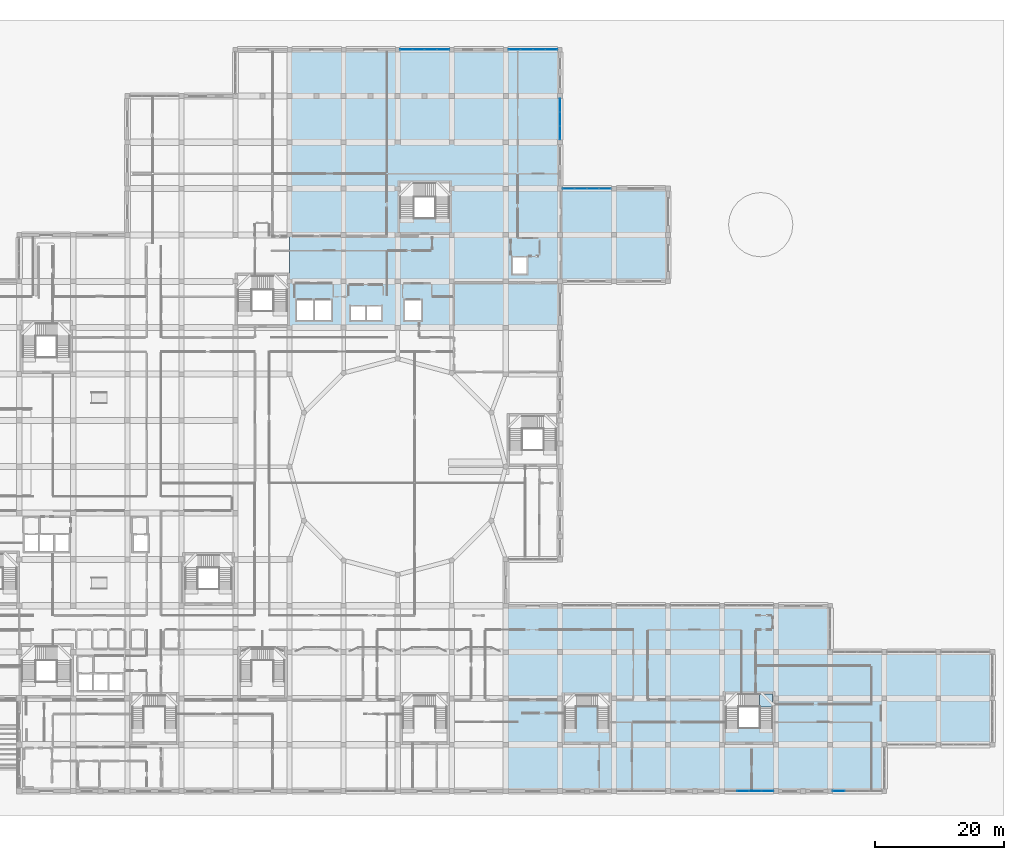
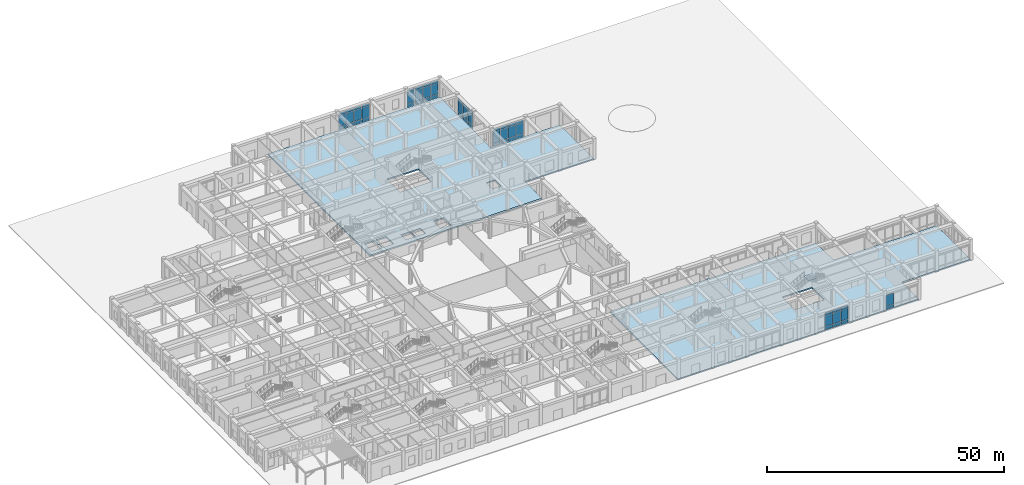
# One storey, part 56 of 84: 56 plates, 3 slabs, 7 elements without a shape of their own.
"""IFC4 building model written with IfcOpenShell, lengths in metres."""

from ifc_helpers import new_model, si_unit, derived_unit, direction, frame, origin, origin_2d, place, context, subcontext, project, spatial, polyline, rectangle, outline, extrude, material, layer, layer_set, type_object, element, aggregate, save


model = new_model("IFC4")

# Units and contexts
model_context = context("Model", 3, precision=1e-05, world=origin(), true_north=direction((0.0, 1.0)))
body_context = subcontext(model_context, "Body", "Model", "MODEL_VIEW")
ifc_project = project(units=[si_unit("LENGTHUNIT", "METRE"), si_unit("AREAUNIT", "SQUARE_METRE"), si_unit("VOLUMEUNIT", "CUBIC_METRE"), si_unit("PLANEANGLEUNIT", "RADIAN"), si_unit("MASSUNIT", "GRAM", prefix="KILO"), derived_unit("THERMALTRANSMITTANCEUNIT", [(si_unit("POWERUNIT", "WATT"), 1), (si_unit("LENGTHUNIT", "METRE"), -2), (si_unit("THERMODYNAMICTEMPERATUREUNIT", "KELVIN"), -1)])], contexts=[model_context])

# Site, building, storey
site_placement = place(None, origin())
site = spatial("IfcSite", under=ifc_project, at=site_placement, CompositionType="ELEMENT")
building_placement = place(site_placement, origin())
building = spatial("IfcBuilding", under=site, at=building_placement, Name="Veybourne Emporium", CompositionType="ELEMENT")
storey_placement = place(building_placement, origin())
storey = spatial("IfcBuildingStorey", under=building, at=storey_placement, Name="L00", CompositionType="ELEMENT", Elevation=0.0)

# Curtain wall, plates
ifc_material_1 = material(Name="Patinated Architectural Bronze", Category="bronze")
curtain_wall_type_1 = type_object("IfcCurtainWallType", Name="CWSystem_CWS-05", PredefinedType="NOTDEFINED", material=ifc_material_1)
curtain_wall_1_placement = place(storey_placement, origin())
curtain_wall_1 = element("IfcCurtainWall", 1, at=curtain_wall_1_placement, inside=storey, type_object=curtain_wall_type_1, Name="L00 bronze glazed curtain wall CWS-05 (036)", PredefinedType="NOTDEFINED")
ifc_material_2 = material(Name="Solar Control Laminated Glass", Category="glass")
ifc_layer_1 = layer(ifc_material_2, 0.035888671875)
ifc_layer_set_1 = layer_set([ifc_layer_1], Name="Solar Control Laminated Glass")
plate_type = type_object("IfcPlateType", Name="CWPanel_CW-P2", PredefinedType="CURTAIN_PANEL", material=ifc_layer_set_1)
plate_1_placement = place(storey_placement, frame((76.930419921875, 115.199951171875, 0.072021484375), z_axis=(0.0, 0.0, 1.0), x_axis=(1.0, 0.0, 0.0)))
plate_1 = element("IfcPlate", 2, at=plate_1_placement, type_object=plate_type, Name="CWS-05 panel 1.1", PredefinedType="CURTAIN_PANEL", context=body_context, shape_type="SweptSolid", body=[
    extrude(rectangle(XDim=1.81689453125, YDim=0.035888671875, at=origin_2d()), origin(), (0.0, 0.0, 1.0), 0.7919921875),
])
plate_2_placement = place(storey_placement, frame((76.930419921875, 115.199951171875, 0.93603515625), z_axis=(0.0, 0.0, 1.0), x_axis=(1.0, 0.0, 0.0)))
plate_2 = element("IfcPlate", 3, at=plate_2_placement, type_object=plate_type, Name="CWS-05 panel 1.2", PredefinedType="CURTAIN_PANEL", context=body_context, shape_type="SweptSolid", body=[
    extrude(rectangle(XDim=1.81689453125, YDim=0.035888671875, at=origin_2d()), origin(), (0.0, 0.0, 1.0), 2.80810546875),
])
plate_3_placement = place(storey_placement, frame((76.930419921875, 115.199951171875, 3.81591796875), z_axis=(0.0, 0.0, 1.0), x_axis=(1.0, 0.0, 0.0)))
plate_3 = element("IfcPlate", 4, at=plate_3_placement, type_object=plate_type, Name="CWS-05 panel 1.3", PredefinedType="CURTAIN_PANEL", context=body_context, shape_type="SweptSolid", body=[
    extrude(rectangle(XDim=1.81689453125, YDim=0.035888671875, at=origin_2d()), origin(), (0.0, 0.0, 1.0), 0.64208984375),
])
plate_4_placement = place(storey_placement, frame((78.83740234375, 115.199951171875, 0.072021484375), z_axis=(0.0, 0.0, 1.0), x_axis=(1.0, 0.0, 0.0)))
plate_4 = element("IfcPlate", 5, at=plate_4_placement, type_object=plate_type, Name="CWS-05 panel 2.1", PredefinedType="CURTAIN_PANEL", context=body_context, shape_type="SweptSolid", body=[
    extrude(rectangle(XDim=1.85302734375, YDim=0.035888671875, at=origin_2d()), origin(), (0.0, 0.0, 1.0), 0.7919921875),
])
plate_5_placement = place(storey_placement, frame((78.83740234375, 115.199951171875, 0.93603515625), z_axis=(0.0, 0.0, 1.0), x_axis=(1.0, 0.0, 0.0)))
plate_5 = element("IfcPlate", 6, at=plate_5_placement, type_object=plate_type, Name="CWS-05 panel 2.2", PredefinedType="CURTAIN_PANEL", context=body_context, shape_type="SweptSolid", body=[
    extrude(rectangle(XDim=1.85302734375, YDim=0.035888671875, at=origin_2d()), origin(), (0.0, 0.0, 1.0), 2.80810546875),
])
plate_6_placement = place(storey_placement, frame((78.83740234375, 115.199951171875, 3.81591796875), z_axis=(0.0, 0.0, 1.0), x_axis=(1.0, 0.0, 0.0)))
plate_6 = element("IfcPlate", 7, at=plate_6_placement, type_object=plate_type, Name="CWS-05 panel 2.3", PredefinedType="CURTAIN_PANEL", context=body_context, shape_type="SweptSolid", body=[
    extrude(rectangle(XDim=1.85302734375, YDim=0.035888671875, at=origin_2d()), origin(), (0.0, 0.0, 1.0), 0.64208984375),
])
plate_7_placement = place(storey_placement, frame((80.762451171875, 115.199951171875, 0.072021484375), z_axis=(0.0, 0.0, 1.0), x_axis=(1.0, 0.0, 0.0)))
plate_7 = element("IfcPlate", 8, at=plate_7_placement, type_object=plate_type, Name="CWS-05 panel 3.1", PredefinedType="CURTAIN_PANEL", context=body_context, shape_type="SweptSolid", body=[
    extrude(rectangle(XDim=1.85302734375, YDim=0.035888671875, at=origin_2d()), origin(), (0.0, 0.0, 1.0), 0.7919921875),
])
plate_8_placement = place(storey_placement, frame((80.762451171875, 115.199951171875, 0.93603515625), z_axis=(0.0, 0.0, 1.0), x_axis=(1.0, 0.0, 0.0)))
plate_8 = element("IfcPlate", 9, at=plate_8_placement, type_object=plate_type, Name="CWS-05 panel 3.2", PredefinedType="CURTAIN_PANEL", context=body_context, shape_type="SweptSolid", body=[
    extrude(rectangle(XDim=1.85302734375, YDim=0.035888671875, at=origin_2d()), origin(), (0.0, 0.0, 1.0), 2.80810546875),
])
plate_9_placement = place(storey_placement, frame((80.762451171875, 115.199951171875, 3.81591796875), z_axis=(0.0, 0.0, 1.0), x_axis=(1.0, 0.0, 0.0)))
plate_9 = element("IfcPlate", 10, at=plate_9_placement, type_object=plate_type, Name="CWS-05 panel 3.3", PredefinedType="CURTAIN_PANEL", context=body_context, shape_type="SweptSolid", body=[
    extrude(rectangle(XDim=1.85302734375, YDim=0.035888671875, at=origin_2d()), origin(), (0.0, 0.0, 1.0), 0.64208984375),
])
plate_10_placement = place(storey_placement, frame((82.66943359375, 115.199951171875, 0.072021484375), z_axis=(0.0, 0.0, 1.0), x_axis=(1.0, 0.0, 0.0)))
plate_10 = element("IfcPlate", 11, at=plate_10_placement, type_object=plate_type, Name="CWS-05 panel 4.1", PredefinedType="CURTAIN_PANEL", context=body_context, shape_type="SweptSolid", body=[
    extrude(rectangle(XDim=1.81689453125, YDim=0.035888671875, at=origin_2d()), origin(), (0.0, 0.0, 1.0), 0.7919921875),
])
plate_11_placement = place(storey_placement, frame((82.66943359375, 115.199951171875, 0.93603515625), z_axis=(0.0, 0.0, 1.0), x_axis=(1.0, 0.0, 0.0)))
plate_11 = element("IfcPlate", 12, at=plate_11_placement, type_object=plate_type, Name="CWS-05 panel 4.2", PredefinedType="CURTAIN_PANEL", context=body_context, shape_type="SweptSolid", body=[
    extrude(rectangle(XDim=1.81689453125, YDim=0.035888671875, at=origin_2d()), origin(), (0.0, 0.0, 1.0), 2.80810546875),
])
plate_12_placement = place(storey_placement, frame((82.66943359375, 115.199951171875, 3.81591796875), z_axis=(0.0, 0.0, 1.0), x_axis=(1.0, 0.0, 0.0)))
plate_12 = element("IfcPlate", 13, at=plate_12_placement, type_object=plate_type, Name="CWS-05 panel 4.3", PredefinedType="CURTAIN_PANEL", context=body_context, shape_type="SweptSolid", body=[
    extrude(rectangle(XDim=1.81689453125, YDim=0.035888671875, at=origin_2d()), origin(), (0.0, 0.0, 1.0), 0.64208984375),
])
aggregate(curtain_wall_1, [plate_1, plate_2, plate_3, plate_4, plate_5, plate_6, plate_7, plate_8, plate_9, plate_10, plate_11, plate_12])

curtain_wall_type_2 = type_object("IfcCurtainWallType", Name="CWSystem_CWS-07", PredefinedType="NOTDEFINED", material=ifc_material_1)
curtain_wall_2_placement = place(storey_placement, origin())
curtain_wall_2 = element("IfcCurtainWall", 14, at=curtain_wall_2_placement, inside=storey, type_object=curtain_wall_type_2, Name="L00 bronze glazed curtain wall CWS-07 (050)", PredefinedType="NOTDEFINED")
plate_13_placement = place(storey_placement, frame((100.800048828125, 106.54296875, 0.078125), z_axis=(0.0, 0.0, 1.0), x_axis=(0.0, -1.0, 0.0)))
plate_13 = element("IfcPlate", 15, at=plate_13_placement, type_object=plate_type, Name="CWS-07 panel 1.1", PredefinedType="CURTAIN_PANEL", context=body_context, shape_type="SweptSolid", body=[
    extrude(rectangle(XDim=2.0380859375, YDim=0.035888671875, at=origin_2d()), origin(), (0.0, 0.0, 1.0), 0.782958984375),
])
plate_14_placement = place(storey_placement, frame((100.800048828125, 106.54296875, 0.93896484375), z_axis=(0.0, 0.0, 1.0), x_axis=(0.0, -1.0, 0.0)))
plate_14 = element("IfcPlate", 16, at=plate_14_placement, type_object=plate_type, Name="CWS-07 panel 1.2", PredefinedType="CURTAIN_PANEL", context=body_context, shape_type="SweptSolid", body=[
    extrude(rectangle(XDim=2.0380859375, YDim=0.035888671875, at=origin_2d()), origin(), (0.0, 0.0, 1.0), 2.802001953125),
])
plate_15_placement = place(storey_placement, frame((100.800048828125, 106.54296875, 3.81884765625), z_axis=(0.0, 0.0, 1.0), x_axis=(0.0, -1.0, 0.0)))
plate_15 = element("IfcPlate", 17, at=plate_15_placement, type_object=plate_type, Name="CWS-07 panel 1.3", PredefinedType="CURTAIN_PANEL", context=body_context, shape_type="SweptSolid", body=[
    extrude(rectangle(XDim=2.0380859375, YDim=0.035888671875, at=origin_2d()), origin(), (0.0, 0.0, 1.0), 0.633056640625),
])
plate_16_placement = place(storey_placement, frame((100.800048828125, 104.407470703125, 0.078125), z_axis=(0.0, 0.0, 1.0), x_axis=(0.0, -1.0, 0.0)))
plate_16 = element("IfcPlate", 18, at=plate_16_placement, type_object=plate_type, Name="CWS-07 panel 2.1", PredefinedType="CURTAIN_PANEL", context=body_context, shape_type="SweptSolid", body=[
    extrude(rectangle(XDim=2.076904296875, YDim=0.035888671875, at=origin_2d()), origin(), (0.0, 0.0, 1.0), 0.782958984375),
])
plate_17_placement = place(storey_placement, frame((100.800048828125, 104.407470703125, 0.93896484375), z_axis=(0.0, 0.0, 1.0), x_axis=(0.0, -1.0, 0.0)))
plate_17 = element("IfcPlate", 19, at=plate_17_placement, type_object=plate_type, Name="CWS-07 panel 2.2", PredefinedType="CURTAIN_PANEL", context=body_context, shape_type="SweptSolid", body=[
    extrude(rectangle(XDim=2.076904296875, YDim=0.035888671875, at=origin_2d()), origin(), (0.0, 0.0, 1.0), 2.802001953125),
])
plate_18_placement = place(storey_placement, frame((100.800048828125, 104.407470703125, 3.81884765625), z_axis=(0.0, 0.0, 1.0), x_axis=(0.0, -1.0, 0.0)))
plate_18 = element("IfcPlate", 20, at=plate_18_placement, type_object=plate_type, Name="CWS-07 panel 2.3", PredefinedType="CURTAIN_PANEL", context=body_context, shape_type="SweptSolid", body=[
    extrude(rectangle(XDim=2.076904296875, YDim=0.035888671875, at=origin_2d()), origin(), (0.0, 0.0, 1.0), 0.633056640625),
])
plate_19_placement = place(storey_placement, frame((100.800048828125, 102.27197265625, 0.078125), z_axis=(0.0, 0.0, 1.0), x_axis=(0.0, -1.0, 0.0)))
plate_19 = element("IfcPlate", 21, at=plate_19_placement, type_object=plate_type, Name="CWS-07 panel 3.1", PredefinedType="CURTAIN_PANEL", context=body_context, shape_type="SweptSolid", body=[
    extrude(rectangle(XDim=2.0380859375, YDim=0.035888671875, at=origin_2d()), origin(), (0.0, 0.0, 1.0), 0.782958984375),
])
plate_20_placement = place(storey_placement, frame((100.800048828125, 102.27197265625, 0.93896484375), z_axis=(0.0, 0.0, 1.0), x_axis=(0.0, -1.0, 0.0)))
plate_20 = element("IfcPlate", 22, at=plate_20_placement, type_object=plate_type, Name="CWS-07 panel 3.2", PredefinedType="CURTAIN_PANEL", context=body_context, shape_type="SweptSolid", body=[
    extrude(rectangle(XDim=2.0380859375, YDim=0.035888671875, at=origin_2d()), origin(), (0.0, 0.0, 1.0), 2.802001953125),
])
plate_21_placement = place(storey_placement, frame((100.800048828125, 102.27197265625, 3.81884765625), z_axis=(0.0, 0.0, 1.0), x_axis=(0.0, -1.0, 0.0)))
plate_21 = element("IfcPlate", 23, at=plate_21_placement, type_object=plate_type, Name="CWS-07 panel 3.3", PredefinedType="CURTAIN_PANEL", context=body_context, shape_type="SweptSolid", body=[
    extrude(rectangle(XDim=2.0380859375, YDim=0.035888671875, at=origin_2d()), origin(), (0.0, 0.0, 1.0), 0.633056640625),
])
aggregate(curtain_wall_2, [plate_13, plate_14, plate_15, plate_16, plate_17, plate_18, plate_19, plate_20, plate_21])

curtain_wall_type_3 = type_object("IfcCurtainWallType", Name="CWSystem_CWS-08", PredefinedType="NOTDEFINED", material=ifc_material_1)
curtain_wall_3_placement = place(storey_placement, origin())
curtain_wall_3 = element("IfcCurtainWall", 24, at=curtain_wall_3_placement, inside=storey, type_object=curtain_wall_type_3, Name="L00 bronze glazed curtain wall CWS-08 (052)", PredefinedType="NOTDEFINED")
plate_22_placement = place(storey_placement, frame((93.72998046875, 115.199951171875, 0.070068359375), z_axis=(0.0, 0.0, 1.0), x_axis=(1.0, 0.0, 0.0)))
plate_22 = element("IfcPlate", 25, at=plate_22_placement, type_object=plate_type, Name="CWS-08 panel 1.1", PredefinedType="CURTAIN_PANEL", context=body_context, shape_type="SweptSolid", body=[
    extrude(rectangle(XDim=1.820068359375, YDim=0.035888671875, at=origin_2d()), origin(), (0.0, 0.0, 1.0), 0.794921875),
])
plate_23_placement = place(storey_placement, frame((93.72998046875, 115.199951171875, 0.93505859375), z_axis=(0.0, 0.0, 1.0), x_axis=(1.0, 0.0, 0.0)))
plate_23 = element("IfcPlate", 26, at=plate_23_placement, type_object=plate_type, Name="CWS-08 panel 1.2", PredefinedType="CURTAIN_PANEL", context=body_context, shape_type="SweptSolid", body=[
    extrude(rectangle(XDim=1.820068359375, YDim=0.035888671875, at=origin_2d()), origin(), (0.0, 0.0, 1.0), 2.81005859375),
])
plate_24_placement = place(storey_placement, frame((93.72998046875, 115.199951171875, 3.81494140625), z_axis=(0.0, 0.0, 1.0), x_axis=(1.0, 0.0, 0.0)))
plate_24 = element("IfcPlate", 27, at=plate_24_placement, type_object=plate_type, Name="CWS-08 panel 1.3", PredefinedType="CURTAIN_PANEL", context=body_context, shape_type="SweptSolid", body=[
    extrude(rectangle(XDim=1.820068359375, YDim=0.035888671875, at=origin_2d()), origin(), (0.0, 0.0, 1.0), 0.64501953125),
])
plate_25_placement = place(storey_placement, frame((95.637451171875, 115.199951171875, 0.070068359375), z_axis=(0.0, 0.0, 1.0), x_axis=(1.0, 0.0, 0.0)))
plate_25 = element("IfcPlate", 28, at=plate_25_placement, type_object=plate_type, Name="CWS-08 panel 2.1", PredefinedType="CURTAIN_PANEL", context=body_context, shape_type="SweptSolid", body=[
    extrude(rectangle(XDim=1.85498046875, YDim=0.035888671875, at=origin_2d()), origin(), (0.0, 0.0, 1.0), 0.794921875),
])
plate_26_placement = place(storey_placement, frame((95.637451171875, 115.199951171875, 0.93505859375), z_axis=(0.0, 0.0, 1.0), x_axis=(1.0, 0.0, 0.0)))
plate_26 = element("IfcPlate", 29, at=plate_26_placement, type_object=plate_type, Name="CWS-08 panel 2.2", PredefinedType="CURTAIN_PANEL", context=body_context, shape_type="SweptSolid", body=[
    extrude(rectangle(XDim=1.85498046875, YDim=0.035888671875, at=origin_2d()), origin(), (0.0, 0.0, 1.0), 2.81005859375),
])
plate_27_placement = place(storey_placement, frame((95.637451171875, 115.199951171875, 3.81494140625), z_axis=(0.0, 0.0, 1.0), x_axis=(1.0, 0.0, 0.0)))
plate_27 = element("IfcPlate", 30, at=plate_27_placement, type_object=plate_type, Name="CWS-08 panel 2.3", PredefinedType="CURTAIN_PANEL", context=body_context, shape_type="SweptSolid", body=[
    extrude(rectangle(XDim=1.85498046875, YDim=0.035888671875, at=origin_2d()), origin(), (0.0, 0.0, 1.0), 0.64501953125),
])
plate_28_placement = place(storey_placement, frame((97.5625, 115.199951171875, 0.070068359375), z_axis=(0.0, 0.0, 1.0), x_axis=(1.0, 0.0, 0.0)))
plate_28 = element("IfcPlate", 31, at=plate_28_placement, type_object=plate_type, Name="CWS-08 panel 3.1", PredefinedType="CURTAIN_PANEL", context=body_context, shape_type="SweptSolid", body=[
    extrude(rectangle(XDim=1.85498046875, YDim=0.035888671875, at=origin_2d()), origin(), (0.0, 0.0, 1.0), 0.794921875),
])
plate_29_placement = place(storey_placement, frame((97.5625, 115.199951171875, 0.93505859375), z_axis=(0.0, 0.0, 1.0), x_axis=(1.0, 0.0, 0.0)))
plate_29 = element("IfcPlate", 32, at=plate_29_placement, type_object=plate_type, Name="CWS-08 panel 3.2", PredefinedType="CURTAIN_PANEL", context=body_context, shape_type="SweptSolid", body=[
    extrude(rectangle(XDim=1.85498046875, YDim=0.035888671875, at=origin_2d()), origin(), (0.0, 0.0, 1.0), 2.81005859375),
])
plate_30_placement = place(storey_placement, frame((97.5625, 115.199951171875, 3.81494140625), z_axis=(0.0, 0.0, 1.0), x_axis=(1.0, 0.0, 0.0)))
plate_30 = element("IfcPlate", 33, at=plate_30_placement, type_object=plate_type, Name="CWS-08 panel 3.3", PredefinedType="CURTAIN_PANEL", context=body_context, shape_type="SweptSolid", body=[
    extrude(rectangle(XDim=1.85498046875, YDim=0.035888671875, at=origin_2d()), origin(), (0.0, 0.0, 1.0), 0.64501953125),
])
plate_31_placement = place(storey_placement, frame((99.469970703125, 115.199951171875, 0.070068359375), z_axis=(0.0, 0.0, 1.0), x_axis=(1.0, 0.0, 0.0)))
plate_31 = element("IfcPlate", 34, at=plate_31_placement, type_object=plate_type, Name="CWS-08 panel 4.1", PredefinedType="CURTAIN_PANEL", context=body_context, shape_type="SweptSolid", body=[
    extrude(rectangle(XDim=1.820068359375, YDim=0.035888671875, at=origin_2d()), origin(), (0.0, 0.0, 1.0), 0.794921875),
])
plate_32_placement = place(storey_placement, frame((99.469970703125, 115.199951171875, 0.93505859375), z_axis=(0.0, 0.0, 1.0), x_axis=(1.0, 0.0, 0.0)))
plate_32 = element("IfcPlate", 35, at=plate_32_placement, type_object=plate_type, Name="CWS-08 panel 4.2", PredefinedType="CURTAIN_PANEL", context=body_context, shape_type="SweptSolid", body=[
    extrude(rectangle(XDim=1.820068359375, YDim=0.035888671875, at=origin_2d()), origin(), (0.0, 0.0, 1.0), 2.81005859375),
])
plate_33_placement = place(storey_placement, frame((99.469970703125, 115.199951171875, 3.81494140625), z_axis=(0.0, 0.0, 1.0), x_axis=(1.0, 0.0, 0.0)))
plate_33 = element("IfcPlate", 36, at=plate_33_placement, type_object=plate_type, Name="CWS-08 panel 4.3", PredefinedType="CURTAIN_PANEL", context=body_context, shape_type="SweptSolid", body=[
    extrude(rectangle(XDim=1.820068359375, YDim=0.035888671875, at=origin_2d()), origin(), (0.0, 0.0, 1.0), 0.64501953125),
])
aggregate(curtain_wall_3, [plate_22, plate_23, plate_24, plate_25, plate_26, plate_27, plate_28, plate_29, plate_30, plate_31, plate_32, plate_33])

curtain_wall_type_4 = type_object("IfcCurtainWallType", Name="CWSystem_CWS-10", PredefinedType="NOTDEFINED", material=ifc_material_1)
curtain_wall_4_placement = place(storey_placement, origin())
curtain_wall_4 = element("IfcCurtainWall", 37, at=curtain_wall_4_placement, inside=storey, type_object=curtain_wall_type_4, Name="L00 bronze glazed curtain wall CWS-10 (056)", PredefinedType="NOTDEFINED")
plate_34_placement = place(storey_placement, frame((102.14697265625, 93.60009765625, 0.074951171875), z_axis=(0.0, 0.0, 1.0), x_axis=(1.0, 0.0, 0.0)))
plate_34 = element("IfcPlate", 38, at=plate_34_placement, type_object=plate_type, Name="CWS-10 panel 1.1", PredefinedType="CURTAIN_PANEL", context=body_context, shape_type="SweptSolid", body=[
    extrude(rectangle(XDim=1.793701171875, YDim=0.035888671875, at=origin_2d()), origin(), (0.0, 0.0, 1.0), 0.78759765625),
])
plate_35_placement = place(storey_placement, frame((102.14697265625, 93.60009765625, 0.9375), z_axis=(0.0, 0.0, 1.0), x_axis=(1.0, 0.0, 0.0)))
plate_35 = element("IfcPlate", 39, at=plate_35_placement, type_object=plate_type, Name="CWS-10 panel 1.2", PredefinedType="CURTAIN_PANEL", context=body_context, shape_type="SweptSolid", body=[
    extrude(rectangle(XDim=1.793701171875, YDim=0.035888671875, at=origin_2d()), origin(), (0.0, 0.0, 1.0), 2.804931640625),
])
plate_36_placement = place(storey_placement, frame((102.14697265625, 93.60009765625, 3.8173828125), z_axis=(0.0, 0.0, 1.0), x_axis=(1.0, 0.0, 0.0)))
plate_36 = element("IfcPlate", 40, at=plate_36_placement, type_object=plate_type, Name="CWS-10 panel 1.3", PredefinedType="CURTAIN_PANEL", context=body_context, shape_type="SweptSolid", body=[
    extrude(rectangle(XDim=1.793701171875, YDim=0.035888671875, at=origin_2d()), origin(), (0.0, 0.0, 1.0), 0.637451171875),
])
plate_37_placement = place(storey_placement, frame((104.034423828125, 93.60009765625, 0.074951171875), z_axis=(0.0, 0.0, 1.0), x_axis=(1.0, 0.0, 0.0)))
plate_37 = element("IfcPlate", 41, at=plate_37_placement, type_object=plate_type, Name="CWS-10 panel 2.1", PredefinedType="CURTAIN_PANEL", context=body_context, shape_type="SweptSolid", body=[
    extrude(rectangle(XDim=1.831298828125, YDim=0.035888671875, at=origin_2d()), origin(), (0.0, 0.0, 1.0), 0.78759765625),
])
plate_38_placement = place(storey_placement, frame((104.034423828125, 93.60009765625, 0.9375), z_axis=(0.0, 0.0, 1.0), x_axis=(1.0, 0.0, 0.0)))
plate_38 = element("IfcPlate", 42, at=plate_38_placement, type_object=plate_type, Name="CWS-10 panel 2.2", PredefinedType="CURTAIN_PANEL", context=body_context, shape_type="SweptSolid", body=[
    extrude(rectangle(XDim=1.831298828125, YDim=0.035888671875, at=origin_2d()), origin(), (0.0, 0.0, 1.0), 2.804931640625),
])
plate_39_placement = place(storey_placement, frame((104.034423828125, 93.60009765625, 3.8173828125), z_axis=(0.0, 0.0, 1.0), x_axis=(1.0, 0.0, 0.0)))
plate_39 = element("IfcPlate", 43, at=plate_39_placement, type_object=plate_type, Name="CWS-10 panel 2.3", PredefinedType="CURTAIN_PANEL", context=body_context, shape_type="SweptSolid", body=[
    extrude(rectangle(XDim=1.831298828125, YDim=0.035888671875, at=origin_2d()), origin(), (0.0, 0.0, 1.0), 0.637451171875),
])
plate_40_placement = place(storey_placement, frame((105.940673828125, 93.60009765625, 0.074951171875), z_axis=(0.0, 0.0, 1.0), x_axis=(1.0, 0.0, 0.0)))
plate_40 = element("IfcPlate", 44, at=plate_40_placement, type_object=plate_type, Name="CWS-10 panel 3.1", PredefinedType="CURTAIN_PANEL", context=body_context, shape_type="SweptSolid", body=[
    extrude(rectangle(XDim=1.831298828125, YDim=0.035888671875, at=origin_2d()), origin(), (0.0, 0.0, 1.0), 0.78759765625),
])
plate_41_placement = place(storey_placement, frame((105.940673828125, 93.60009765625, 0.9375), z_axis=(0.0, 0.0, 1.0), x_axis=(1.0, 0.0, 0.0)))
plate_41 = element("IfcPlate", 45, at=plate_41_placement, type_object=plate_type, Name="CWS-10 panel 3.2", PredefinedType="CURTAIN_PANEL", context=body_context, shape_type="SweptSolid", body=[
    extrude(rectangle(XDim=1.831298828125, YDim=0.035888671875, at=origin_2d()), origin(), (0.0, 0.0, 1.0), 2.804931640625),
])
plate_42_placement = place(storey_placement, frame((105.940673828125, 93.60009765625, 3.8173828125), z_axis=(0.0, 0.0, 1.0), x_axis=(1.0, 0.0, 0.0)))
plate_42 = element("IfcPlate", 46, at=plate_42_placement, type_object=plate_type, Name="CWS-10 panel 3.3", PredefinedType="CURTAIN_PANEL", context=body_context, shape_type="SweptSolid", body=[
    extrude(rectangle(XDim=1.831298828125, YDim=0.035888671875, at=origin_2d()), origin(), (0.0, 0.0, 1.0), 0.637451171875),
])
plate_43_placement = place(storey_placement, frame((107.828125, 93.60009765625, 0.074951171875), z_axis=(0.0, 0.0, 1.0), x_axis=(1.0, 0.0, 0.0)))
plate_43 = element("IfcPlate", 47, at=plate_43_placement, type_object=plate_type, Name="CWS-10 panel 4.1", PredefinedType="CURTAIN_PANEL", context=body_context, shape_type="SweptSolid", body=[
    extrude(rectangle(XDim=1.793701171875, YDim=0.035888671875, at=origin_2d()), origin(), (0.0, 0.0, 1.0), 0.78759765625),
])
plate_44_placement = place(storey_placement, frame((107.828125, 93.60009765625, 0.9375), z_axis=(0.0, 0.0, 1.0), x_axis=(1.0, 0.0, 0.0)))
plate_44 = element("IfcPlate", 48, at=plate_44_placement, type_object=plate_type, Name="CWS-10 panel 4.2", PredefinedType="CURTAIN_PANEL", context=body_context, shape_type="SweptSolid", body=[
    extrude(rectangle(XDim=1.793701171875, YDim=0.035888671875, at=origin_2d()), origin(), (0.0, 0.0, 1.0), 2.804931640625),
])
plate_45_placement = place(storey_placement, frame((107.828125, 93.60009765625, 3.8173828125), z_axis=(0.0, 0.0, 1.0), x_axis=(1.0, 0.0, 0.0)))
plate_45 = element("IfcPlate", 49, at=plate_45_placement, type_object=plate_type, Name="CWS-10 panel 4.3", PredefinedType="CURTAIN_PANEL", context=body_context, shape_type="SweptSolid", body=[
    extrude(rectangle(XDim=1.793701171875, YDim=0.035888671875, at=origin_2d()), origin(), (0.0, 0.0, 1.0), 0.637451171875),
])
aggregate(curtain_wall_4, [plate_34, plate_35, plate_36, plate_37, plate_38, plate_39, plate_40, plate_41, plate_42, plate_43, plate_44, plate_45])

curtain_wall_type_5 = type_object("IfcCurtainWallType", Name="CWSystem_CWS-14", PredefinedType="NOTDEFINED", material=ifc_material_1)
curtain_wall_5_placement = place(storey_placement, origin())
curtain_wall_5 = element("IfcCurtainWall", 50, at=curtain_wall_5_placement, inside=storey, type_object=curtain_wall_type_5, Name="L00 bronze glazed curtain wall CWS-14 (065)", PredefinedType="NOTDEFINED")
plate_46_placement = place(storey_placement, frame((133.05322265625, 0.0, 0.074951171875), z_axis=(0.0, 0.0, 1.0), x_axis=(-1.0, 0.0, 0.0)))
plate_46 = element("IfcPlate", 51, at=plate_46_placement, type_object=plate_type, Name="CWS-14 panel 1.1", PredefinedType="CURTAIN_PANEL", context=body_context, shape_type="SweptSolid", body=[
    extrude(rectangle(XDim=1.793701171875, YDim=0.035888671875, at=origin_2d()), origin(), (0.0, 0.0, 1.0), 0.78759765625),
])
plate_47_placement = place(storey_placement, frame((133.05322265625, 0.0, 0.9375), z_axis=(0.0, 0.0, 1.0), x_axis=(-1.0, 0.0, 0.0)))
plate_47 = element("IfcPlate", 52, at=plate_47_placement, type_object=plate_type, Name="CWS-14 panel 1.2", PredefinedType="CURTAIN_PANEL", context=body_context, shape_type="SweptSolid", body=[
    extrude(rectangle(XDim=1.793701171875, YDim=0.035888671875, at=origin_2d()), origin(), (0.0, 0.0, 1.0), 2.804931640625),
])
plate_48_placement = place(storey_placement, frame((133.05322265625, 0.0, 3.8173828125), z_axis=(0.0, 0.0, 1.0), x_axis=(-1.0, 0.0, 0.0)))
plate_48 = element("IfcPlate", 53, at=plate_48_placement, type_object=plate_type, Name="CWS-14 panel 1.3", PredefinedType="CURTAIN_PANEL", context=body_context, shape_type="SweptSolid", body=[
    extrude(rectangle(XDim=1.793701171875, YDim=0.035888671875, at=origin_2d()), origin(), (0.0, 0.0, 1.0), 0.637451171875),
])
plate_49_placement = place(storey_placement, frame((131.16552734375, 0.0, 0.074951171875), z_axis=(0.0, 0.0, 1.0), x_axis=(-1.0, 0.0, 0.0)))
plate_49 = element("IfcPlate", 54, at=plate_49_placement, type_object=plate_type, Name="CWS-14 panel 2.1", PredefinedType="CURTAIN_PANEL", context=body_context, shape_type="SweptSolid", body=[
    extrude(rectangle(XDim=1.831298828125, YDim=0.035888671875, at=origin_2d()), origin(), (0.0, 0.0, 1.0), 0.78759765625),
])
plate_50_placement = place(storey_placement, frame((131.16552734375, 0.0, 0.9375), z_axis=(0.0, 0.0, 1.0), x_axis=(-1.0, 0.0, 0.0)))
plate_50 = element("IfcPlate", 55, at=plate_50_placement, type_object=plate_type, Name="CWS-14 panel 2.2", PredefinedType="CURTAIN_PANEL", context=body_context, shape_type="SweptSolid", body=[
    extrude(rectangle(XDim=1.831298828125, YDim=0.035888671875, at=origin_2d()), origin(), (0.0, 0.0, 1.0), 2.804931640625),
])
plate_51_placement = place(storey_placement, frame((131.16552734375, 0.0, 3.8173828125), z_axis=(0.0, 0.0, 1.0), x_axis=(-1.0, 0.0, 0.0)))
plate_51 = element("IfcPlate", 56, at=plate_51_placement, type_object=plate_type, Name="CWS-14 panel 2.3", PredefinedType="CURTAIN_PANEL", context=body_context, shape_type="SweptSolid", body=[
    extrude(rectangle(XDim=1.831298828125, YDim=0.035888671875, at=origin_2d()), origin(), (0.0, 0.0, 1.0), 0.637451171875),
])
plate_52_placement = place(storey_placement, frame((129.25927734375, 0.0, 0.074951171875), z_axis=(0.0, 0.0, 1.0), x_axis=(-1.0, 0.0, 0.0)))
plate_52 = element("IfcPlate", 57, at=plate_52_placement, type_object=plate_type, Name="CWS-14 panel 3.1", PredefinedType="CURTAIN_PANEL", context=body_context, shape_type="SweptSolid", body=[
    extrude(rectangle(XDim=1.831298828125, YDim=0.035888671875, at=origin_2d()), origin(), (0.0, 0.0, 1.0), 0.78759765625),
])
plate_53_placement = place(storey_placement, frame((129.25927734375, 0.0, 0.9375), z_axis=(0.0, 0.0, 1.0), x_axis=(-1.0, 0.0, 0.0)))
plate_53 = element("IfcPlate", 58, at=plate_53_placement, type_object=plate_type, Name="CWS-14 panel 3.2", PredefinedType="CURTAIN_PANEL", context=body_context, shape_type="SweptSolid", body=[
    extrude(rectangle(XDim=1.831298828125, YDim=0.035888671875, at=origin_2d()), origin(), (0.0, 0.0, 1.0), 2.804931640625),
])
plate_54_placement = place(storey_placement, frame((129.25927734375, 0.0, 3.8173828125), z_axis=(0.0, 0.0, 1.0), x_axis=(-1.0, 0.0, 0.0)))
plate_54 = element("IfcPlate", 59, at=plate_54_placement, type_object=plate_type, Name="CWS-14 panel 3.3", PredefinedType="CURTAIN_PANEL", context=body_context, shape_type="SweptSolid", body=[
    extrude(rectangle(XDim=1.831298828125, YDim=0.035888671875, at=origin_2d()), origin(), (0.0, 0.0, 1.0), 0.637451171875),
])
aggregate(curtain_wall_5, [plate_46, plate_47, plate_48, plate_49, plate_50, plate_51, plate_52, plate_53, plate_54])

curtain_wall_type_6 = type_object("IfcCurtainWallType", Name="CWSystem_CWS-17", PredefinedType="NOTDEFINED", material=ifc_material_1)
curtain_wall_6_placement = place(storey_placement, origin())
curtain_wall_6 = element("IfcCurtainWall", 60, at=curtain_wall_6_placement, inside=storey, type_object=curtain_wall_type_6, Name="L00 bronze glazed curtain wall CWS-17 (070)", PredefinedType="NOTDEFINED")
plate_55_placement = place(storey_placement, frame((144.130615234375, 0.0, 0.072021484375), z_axis=(0.0, 0.0, 1.0), x_axis=(-1.0, 0.0, 0.0)))
plate_55 = element("IfcPlate", 61, at=plate_55_placement, type_object=plate_type, Name="CWS-17 panel 4.1", PredefinedType="CURTAIN_PANEL", context=body_context, shape_type="SweptSolid", body=[
    extrude(rectangle(XDim=1.81689453125, YDim=0.035888671875, at=origin_2d()), origin(), (0.0, 0.0, 1.0), 0.7919921875),
])
plate_56_placement = place(storey_placement, frame((144.130615234375, 0.0, 0.93603515625), z_axis=(0.0, 0.0, 1.0), x_axis=(-1.0, 0.0, 0.0)))
plate_56 = element("IfcPlate", 62, at=plate_56_placement, type_object=plate_type, Name="CWS-17 panel 4.2", PredefinedType="CURTAIN_PANEL", context=body_context, shape_type="SweptSolid", body=[
    extrude(rectangle(XDim=1.81689453125, YDim=0.035888671875, at=origin_2d()), origin(), (0.0, 0.0, 1.0), 2.80810546875),
])
aggregate(curtain_wall_6, [plate_55, plate_56])

# Stair, slab
ifc_material_3 = material(Name="Concrete C32/40", Category="concrete")
stair_type = type_object("IfcStairType", Name="Stair_ST-06-R36", PredefinedType="TWO_QUARTER_TURN_STAIR", material=ifc_material_3)
stair_placement = place(storey_placement, origin())
stair = element("IfcStair", 63, at=stair_placement, inside=storey, type_object=stair_type, Name="L00 stair ST-06", PredefinedType="TWO_QUARTER_TURN_STAIR")
ifc_layer_2 = layer(ifc_material_3, 0.199951171875)
ifc_layer_set_2 = layer_set([ifc_layer_2], Name="Concrete C32/40")
slab_type_1 = type_object("IfcSlabType", Name="Landing_LDG-01", PredefinedType="LANDING", material=ifc_layer_set_2)
slab_1_placement = place(storey_placement, frame((0.0, 0.0, 3.39990234375)))
slab_1 = element("IfcSlab", 64, at=slab_1_placement, type_object=slab_type_1, Name="ST-06-R36 landing 2", PredefinedType="LANDING", context=body_context, shape_type="SweptSolid", body=[
    extrude(outline(polyline([(131.85009765625, 13.10009765625), (133.85009765625, 13.10009765625), (133.85009765625, 15.10009765625), (131.85009765625, 15.10009765625), (131.85009765625, 13.10009765625)])), origin(), (0.0, 0.0, 1.0), 0.2001953125),
])
aggregate(stair, [slab_1])

# Slabs
ifc_layer_3 = layer(ifc_material_3, 0.35009765625)
ifc_layer_set_3 = layer_set([ifc_layer_3], Name="Concrete C32/40")
slab_type_2 = type_object("IfcSlabType", Name="Slab_FS-01", PredefinedType="FLOOR", material=ifc_layer_set_3)
slab_2_placement = place(storey_placement, frame((0.0, 0.0, -0.35009765625)))
element("IfcSlab", 65, at=slab_2_placement, inside=storey, type_object=slab_type_2, Name="L00 floor slab FS-01 (V4.1)", PredefinedType="FLOOR", context=body_context, shape_type="SweptSolid", body=[
    extrude(outline(polyline([(92.39990234375, 28.800048828125), (100.800048828125, 28.800048828125), (109.199951171875, 28.800048828125), (117.60009765625, 28.800048828125), (126.0, 28.800048828125), (134.39990234375, 28.800048828125), (142.800048828125, 28.800048828125), (142.800048828125, 21.60009765625), (151.199951171875, 21.60009765625), (159.60009765625, 21.60009765625), (168.0, 21.60009765625), (168.0, 14.39990234375), (168.0, 7.199951171875), (159.60009765625, 7.199951171875), (151.199951171875, 7.199951171875), (151.199951171875, 0.0), (142.800048828125, 0.0), (134.39990234375, 0.0), (126.0, 0.0), (117.60009765625, 0.0), (109.199951171875, 0.0), (100.800048828125, 0.0), (92.39990234375, 0.0), (92.39990234375, 7.199951171875), (92.39990234375, 14.39990234375), (92.39990234375, 21.60009765625), (92.39990234375, 28.800048828125)]), holes=[polyline([(133.85009765625, 9.800048828125), (133.85009765625, 15.10009765625), (126.550048828125, 15.10009765625), (126.550048828125, 9.800048828125), (133.85009765625, 9.800048828125)])]), origin(), (0.0, 0.0, 1.0), 0.35009765625),
])
slab_3_placement = place(storey_placement, frame((0.0, 0.0, -0.35009765625)))
element("IfcSlab", 66, at=slab_3_placement, inside=storey, type_object=slab_type_2, Name="L00 floor slab FS-01 (V5E.1)", PredefinedType="FLOOR", context=body_context, shape_type="SweptSolid", body=[
    extrude(outline(polyline([(58.800048828125, 72.0), (58.800048828125, 79.199951171875), (58.800048828125, 86.39990234375), (58.800048828125, 93.60009765625), (58.800048828125, 100.800048828125), (58.800048828125, 108.0), (58.800048828125, 115.199951171875), (67.199951171875, 115.199951171875), (75.60009765625, 115.199951171875), (84.0, 115.199951171875), (92.39990234375, 115.199951171875), (100.800048828125, 115.199951171875), (100.800048828125, 108.0), (100.800048828125, 100.800048828125), (100.800048828125, 93.60009765625), (109.199951171875, 93.60009765625), (117.60009765625, 93.60009765625), (117.60009765625, 86.39990234375), (117.60009765625, 79.199951171875), (109.199951171875, 79.199951171875), (100.800048828125, 79.199951171875), (100.800048828125, 72.0), (92.39990234375, 72.0), (84.0, 72.0), (75.60009765625, 72.0), (67.199951171875, 72.0), (58.800048828125, 72.0)]), holes=[polyline([(68.300048828125, 73.14990234375), (70.550048828125, 73.14990234375), (70.550048828125, 75.300048828125), (68.300048828125, 75.300048828125), (68.300048828125, 73.14990234375)]), polyline([(70.7900390625, 73.14990234375), (73.0400390625, 73.14990234375), (73.0400390625, 75.300048828125), (70.7900390625, 75.300048828125), (70.7900390625, 73.14990234375)]), polyline([(62.449951171875, 73.14990234375), (62.449951171875, 76.25), (59.89990234375, 76.25), (59.89990234375, 73.14990234375), (62.449951171875, 73.14990234375)]), polyline([(62.68994140625, 73.14990234375), (65.239990234375, 73.14990234375), (65.239990234375, 76.25), (62.68994140625, 76.25), (62.68994140625, 73.14990234375)]), polyline([(76.699951171875, 73.14990234375), (79.25, 73.14990234375), (79.25, 76.25), (76.699951171875, 76.25), (76.699951171875, 73.14990234375)]), polyline([(93.5, 80.35009765625), (95.64990234375, 80.35009765625), (95.64990234375, 82.89990234375), (93.5, 82.89990234375), (93.5, 80.35009765625)]), polyline([(75.949951171875, 89.0), (83.64990234375, 89.0), (83.64990234375, 94.5), (75.949951171875, 94.5), (75.949951171875, 89.0)])]), origin(), (0.0, 0.0, 1.0), 0.35009765625),
])

save(model, "model.ifc")
